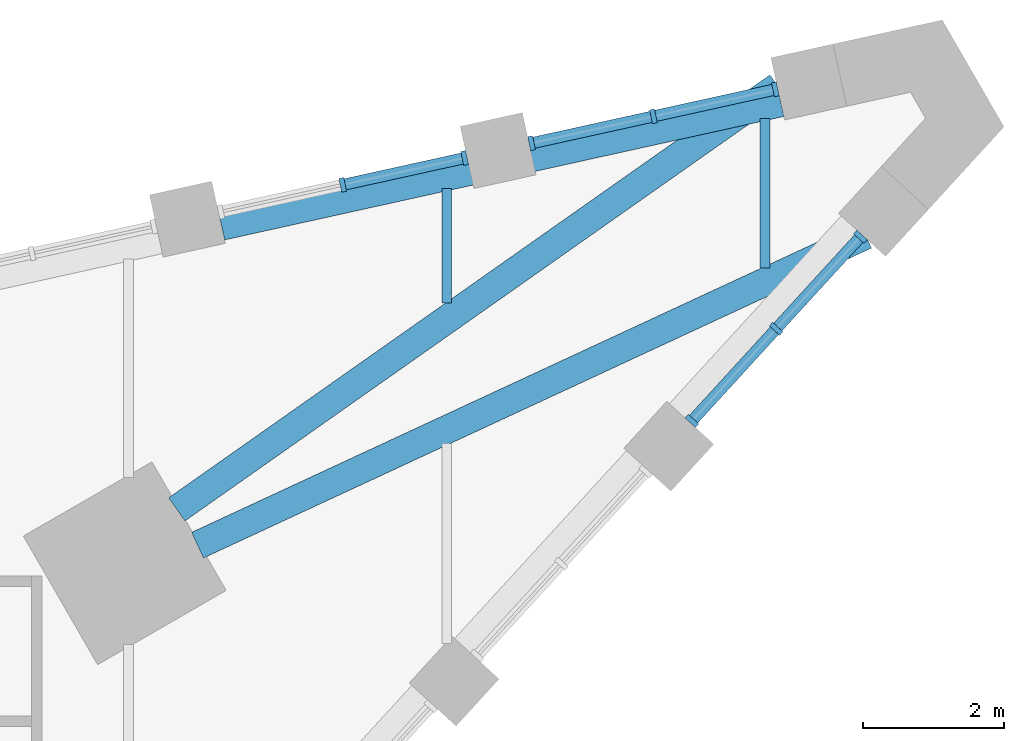
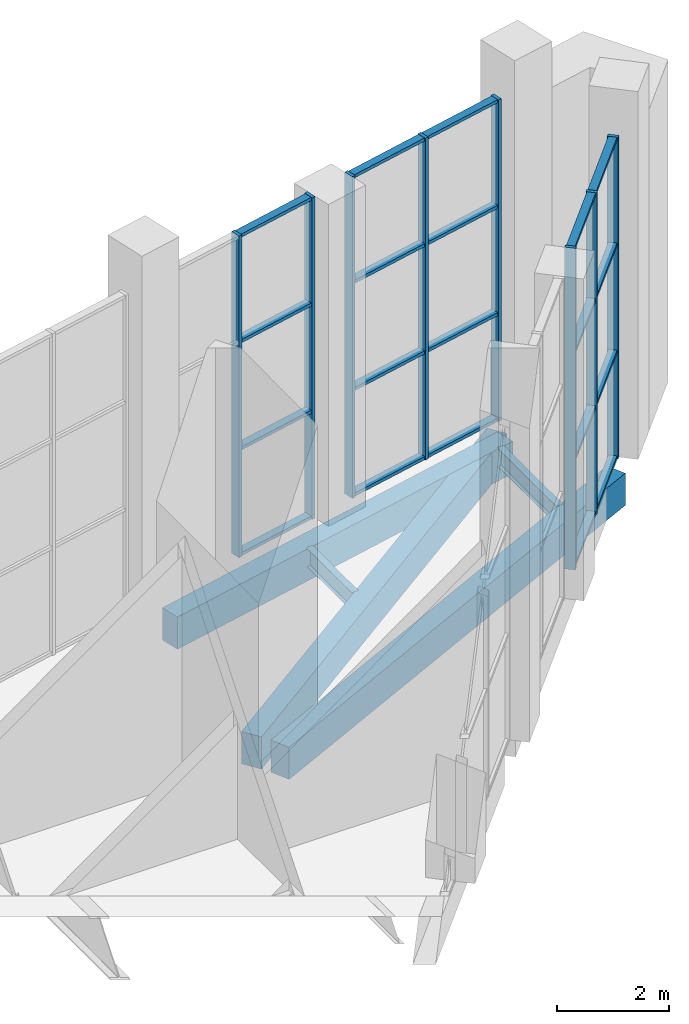
# One storey, part 7 of 16: 28 members, 5 beams, 3 elements without a shape of their own.
"""IFC4 building model written with IfcOpenShell, lengths in metres."""

from ifc_helpers import new_model, si_unit, direction, frame, origin, origin_2d, place, context, subcontext, project, spatial, rectangle, i_section, extrude, material, material_profile, profile_set, type_object, element, aggregate, save


model = new_model("IFC4")

# Units and contexts
model_context = context("Model", 3, precision=1e-05, world=origin(), true_north=direction((0.0, 1.0)))
body_context = subcontext(model_context, "Body", "Model", "MODEL_VIEW")
ifc_project = project(units=[si_unit("LENGTHUNIT", "METRE"), si_unit("AREAUNIT", "SQUARE_METRE"), si_unit("VOLUMEUNIT", "CUBIC_METRE"), si_unit("PLANEANGLEUNIT", "RADIAN"), si_unit("MASSUNIT", "GRAM", prefix="KILO")], contexts=[model_context])

# Site, building, storey
site_placement = place(None, origin())
site = spatial("IfcSite", under=ifc_project, at=site_placement, CompositionType="ELEMENT")
building_placement = place(site_placement, origin())
building = spatial("IfcBuilding", under=site, at=building_placement, Name="Calabash Gate Tower", CompositionType="ELEMENT")
storey_placement = place(building_placement, frame((0.0, 0.0, 302.5)))
storey = spatial("IfcBuildingStorey", under=building, at=storey_placement, Name="L72", CompositionType="ELEMENT", Elevation=302.5)

# Beams
ifc_material_1 = material(Name="Concrete C50/60", Category="concrete")
ifc_material_profile_1 = material_profile(ifc_material_1, rectangle(XDim=0.39990234375, YDim=0.699951171875, at=origin_2d()))
ifc_profile_set_1 = profile_set([ifc_material_profile_1], Name="Concrete C50/60")
beam_type_1 = type_object("IfcBeamType", Name="Edge beam RC 400x700 Concrete C50/60", PredefinedType="BEAM", material=ifc_profile_set_1)
beam_1_placement = place(storey_placement, frame((32.924072265625, 21.1298828125, -0.64990234375), z_axis=(-0.907165927894, -0.420773073364, 0.0), x_axis=(0.420773073364, -0.907165927894, 0.0)))
element("IfcBeam", 1, at=beam_1_placement, inside=storey, type_object=beam_type_1, Name="Edge beam L72 12", PredefinedType="BEAM", context=body_context, shape_type="SweptSolid", body=[
    extrude(rectangle(XDim=0.39990234375, YDim=0.699951171875, at=origin_2d()), origin(), (0.0, 0.0, 1.0), 10.413818359375),
])
beam_2_placement = place(storey_placement, frame((23.18310546875, 17.25390625, -0.64990234375), z_axis=(0.817868224599, 0.575405567571, 0.0), x_axis=(-0.575405567571, 0.817868224599, 0.0)))
element("IfcBeam", 2, at=beam_2_placement, inside=storey, type_object=beam_type_1, Name="Edge beam L72 13", PredefinedType="BEAM", context=body_context, shape_type="SweptSolid", body=[
    extrude(rectangle(XDim=0.39990234375, YDim=0.699951171875, at=origin_2d()), origin(), (0.0, 0.0, 1.0), 10.396484375),
])
beam_3_placement = place(storey_placement, frame((31.72705078125, 23.006103515625, -0.64990234375), z_axis=(-0.976492437334, -0.215551663945, 0.0), x_axis=(0.215551663945, -0.976492437334, 0.0)))
element("IfcBeam", 3, at=beam_3_placement, inside=storey, type_object=beam_type_1, Name="Edge beam L72 14", PredefinedType="BEAM", context=body_context, shape_type="SweptSolid", body=[
    extrude(rectangle(XDim=0.39990234375, YDim=0.699951171875, at=origin_2d()), origin(), (0.0, 0.0, 1.0), 8.1005859375),
])
ifc_material_2 = material(Name="Steel ASTM A992 Gr50", Category="steel")
ifc_material_profile_2 = material_profile(ifc_material_2, i_section(OverallWidth=0.1396484375, OverallDepth=0.398681640625, WebThickness=0.00634765625, FlangeThickness=0.0087890625, FilletRadius=0.01025390625, at=origin_2d()))
ifc_profile_set_2 = profile_set([ifc_material_profile_2], Name="Steel ASTM A992 Gr50")
beam_type_2 = type_object("IfcBeamType", Name="Floor beam W16x26 ASTM A992 Gr50", PredefinedType="BEAM", material=ifc_profile_set_2)
beam_4_placement = place(storey_placement, frame((27.0, 20.172119140625, -0.4990234375), z_axis=(0.0, 1.0, 0.0), x_axis=(-1.0, 0.0, 0.0)))
element("IfcBeam", 4, at=beam_4_placement, inside=storey, type_object=beam_type_2, Name="Floor beam L72 18", PredefinedType="BEAM", context=body_context, shape_type="SweptSolid", body=[
    extrude(i_section(OverallWidth=0.1396484375, OverallDepth=0.398681640625, WebThickness=0.00634765625, FlangeThickness=0.0087890625, FilletRadius=0.01025390625, at=origin_2d()), origin(), (0.0, 0.0, 1.0), 1.617919921875),
])
beam_5_placement = place(storey_placement, frame((31.5, 20.66796875, -0.4990234375), z_axis=(0.0, 1.0, 0.0), x_axis=(-1.0, 0.0, 0.0)))
element("IfcBeam", 5, at=beam_5_placement, inside=storey, type_object=beam_type_2, Name="Floor beam L72 19", PredefinedType="BEAM", context=body_context, shape_type="SweptSolid", body=[
    extrude(i_section(OverallWidth=0.1396484375, OverallDepth=0.398681640625, WebThickness=0.00634765625, FlangeThickness=0.0087890625, FilletRadius=0.01025390625, at=origin_2d()), origin(), (0.0, 0.0, 1.0), 2.114990234375),
])

# Curtain wall, members
ifc_material_3 = material(Name="Anodised aluminium frame, bronze finish, clear laminated impact-rated glazing", Category="aluminium")
curtain_wall_type = type_object("IfcCurtainWallType", Name="Curtain wall CWW wedge prow wall", PredefinedType="NOTDEFINED", material=ifc_material_3)
curtain_wall_1_placement = place(storey_placement, origin())
curtain_wall_1 = element("IfcCurtainWall", 6, at=curtain_wall_1_placement, inside=storey, type_object=curtain_wall_type, Name="Curtain wall CWW L72 wedge3.4", PredefinedType="NOTDEFINED")
ifc_material_4 = material(Name="Anodised aluminium frame, bronze finish", Category="aluminium")
ifc_material_profile_3 = material_profile(ifc_material_4, rectangle(XDim=0.199951171875, YDim=0.070068359375, at=origin_2d()))
ifc_profile_set_3 = profile_set([ifc_material_profile_3], Name="Anodised aluminium frame, bronze finish")
member_type_1 = type_object("IfcMemberType", Name="Mullion CWW 70x200", PredefinedType="MULLION", material=ifc_profile_set_3)
member_1_placement = place(storey_placement, frame((30.46826171875, 18.5048828125, 0.0), z_axis=(0.0, 0.0, 1.0), x_axis=(-0.737949387896, 0.674856059397, 0.0)))
member_1 = element("IfcMember", 7, at=member_1_placement, type_object=member_type_1, Name="CWW mullion 1", PredefinedType="MULLION", context=body_context, shape_type="SweptSolid", body=[
    extrude(rectangle(XDim=0.199951171875, YDim=0.070068359375, at=origin_2d()), origin(), (0.0, 0.0, 1.0), 7.0),
])
member_2_placement = place(storey_placement, frame((31.659423828125, 19.807373046875, 0.0), z_axis=(0.0, 0.0, 1.0), x_axis=(-0.737949387896, 0.674856059397, 0.0)))
member_2 = element("IfcMember", 8, at=member_2_placement, type_object=member_type_1, Name="CWW mullion 2", PredefinedType="MULLION", context=body_context, shape_type="SweptSolid", body=[
    extrude(rectangle(XDim=0.199951171875, YDim=0.070068359375, at=origin_2d()), origin(), (0.0, 0.0, 1.0), 7.0),
])
member_3_placement = place(storey_placement, frame((32.8505859375, 21.10986328125, 0.0), z_axis=(0.0, 0.0, 1.0), x_axis=(-0.737949387896, 0.674856059397, 0.0)))
member_3 = element("IfcMember", 9, at=member_3_placement, type_object=member_type_1, Name="CWW mullion 3", PredefinedType="MULLION", context=body_context, shape_type="SweptSolid", body=[
    extrude(rectangle(XDim=0.199951171875, YDim=0.070068359375, at=origin_2d()), origin(), (0.0, 0.0, 1.0), 7.0),
])

curtain_wall_2_placement = place(storey_placement, origin())
curtain_wall_2 = element("IfcCurtainWall", 10, at=curtain_wall_2_placement, inside=storey, type_object=curtain_wall_type, Name="Curtain wall CWW L72 wedge5.1", PredefinedType="NOTDEFINED")
member_4_placement = place(storey_placement, frame((31.647705078125, 23.193359375, 0.0), z_axis=(0.0, 0.0, 1.0), x_axis=(0.215467802466, -0.976510945203, 0.0)))
member_4 = element("IfcMember", 11, at=member_4_placement, type_object=member_type_1, Name="CWW mullion 1", PredefinedType="MULLION", context=body_context, shape_type="SweptSolid", body=[
    extrude(rectangle(XDim=0.199951171875, YDim=0.070068359375, at=origin_2d()), origin(), (0.0, 0.0, 1.0), 7.0),
])
member_5_placement = place(storey_placement, frame((29.924072265625, 22.81298828125, 0.0), z_axis=(0.0, 0.0, 1.0), x_axis=(0.215467802466, -0.976510945203, 0.0)))
member_5 = element("IfcMember", 12, at=member_5_placement, type_object=member_type_1, Name="CWW mullion 2", PredefinedType="MULLION", context=body_context, shape_type="SweptSolid", body=[
    extrude(rectangle(XDim=0.199951171875, YDim=0.070068359375, at=origin_2d()), origin(), (0.0, 0.0, 1.0), 7.0),
])
member_6_placement = place(storey_placement, frame((28.20068359375, 22.432861328125, 0.0), z_axis=(0.0, 0.0, 1.0), x_axis=(0.215467802466, -0.976510945203, 0.0)))
member_6 = element("IfcMember", 13, at=member_6_placement, type_object=member_type_1, Name="CWW mullion 3", PredefinedType="MULLION", context=body_context, shape_type="SweptSolid", body=[
    extrude(rectangle(XDim=0.199951171875, YDim=0.070068359375, at=origin_2d()), origin(), (0.0, 0.0, 1.0), 7.0),
])

curtain_wall_3_placement = place(storey_placement, origin())
curtain_wall_3 = element("IfcCurtainWall", 14, at=curtain_wall_3_placement, inside=storey, type_object=curtain_wall_type, Name="Curtain wall CWW L72 wedge5.2", PredefinedType="NOTDEFINED")
member_7_placement = place(storey_placement, frame((27.25341796875, 22.2236328125, 0.0), z_axis=(0.0, 0.0, 1.0), x_axis=(0.215467744008, -0.976510958101, 0.0)))
member_7 = element("IfcMember", 15, at=member_7_placement, type_object=member_type_1, Name="CWW mullion 1", PredefinedType="MULLION", context=body_context, shape_type="SweptSolid", body=[
    extrude(rectangle(XDim=0.199951171875, YDim=0.070068359375, at=origin_2d()), origin(), (0.0, 0.0, 1.0), 7.0),
])
member_8_placement = place(storey_placement, frame((25.52978515625, 21.843505859375, 0.0), z_axis=(0.0, 0.0, 1.0), x_axis=(0.215467744008, -0.976510958101, 0.0)))
member_8 = element("IfcMember", 16, at=member_8_placement, type_object=member_type_1, Name="CWW mullion 2", PredefinedType="MULLION", context=body_context, shape_type="SweptSolid", body=[
    extrude(rectangle(XDim=0.199951171875, YDim=0.070068359375, at=origin_2d()), origin(), (0.0, 0.0, 1.0), 7.0),
])

# Member
ifc_material_5 = material(Name="Anodised aluminium frame, bronze finish", Category="aluminium")
ifc_material_profile_4 = material_profile(ifc_material_5, rectangle(XDim=0.159912109375, YDim=0.070068359375, at=origin_2d()))
ifc_profile_set_4 = profile_set([ifc_material_profile_4], Name="Anodised aluminium frame, bronze finish")
member_type_2 = type_object("IfcMemberType", Name="Transom CWW 70x160", PredefinedType="USERDEFINED", material=ifc_profile_set_4)
member_9_placement = place(storey_placement, frame((30.491943359375, 18.53076171875, 0.034912109375), z_axis=(0.674935053329, 0.737877140036, 0.0), x_axis=(-0.737877140036, 0.674935053329, 0.0)))
member_9 = element("IfcMember", 17, at=member_9_placement, type_object=member_type_2, Name="CWW transom 1.1", ObjectType="TRANSOM", PredefinedType="USERDEFINED", context=body_context, shape_type="SweptSolid", body=[
    extrude(rectangle(XDim=0.159912109375, YDim=0.070068359375, at=origin_2d()), origin(), (0.0, 0.0, 1.0), 1.695068359375),
])

member_10_placement = place(storey_placement, frame((30.491943359375, 18.53076171875, 2.333251953125), z_axis=(0.674935053329, 0.737877140036, 0.0), x_axis=(-0.737877140036, 0.674935053329, 0.0)))
member_10 = element("IfcMember", 18, at=member_10_placement, type_object=member_type_2, Name="CWW transom 1.2", ObjectType="TRANSOM", PredefinedType="USERDEFINED", context=body_context, shape_type="SweptSolid", body=[
    extrude(rectangle(XDim=0.159912109375, YDim=0.070068359375, at=origin_2d()), origin(), (0.0, 0.0, 1.0), 1.695068359375),
])

member_11_placement = place(storey_placement, frame((30.491943359375, 18.53076171875, 4.666748046875), z_axis=(0.674935053329, 0.737877140036, 0.0), x_axis=(-0.737877140036, 0.674935053329, 0.0)))
member_11 = element("IfcMember", 19, at=member_11_placement, type_object=member_type_2, Name="CWW transom 1.3", ObjectType="TRANSOM", PredefinedType="USERDEFINED", context=body_context, shape_type="SweptSolid", body=[
    extrude(rectangle(XDim=0.159912109375, YDim=0.070068359375, at=origin_2d()), origin(), (0.0, 0.0, 1.0), 1.695068359375),
])

member_12_placement = place(storey_placement, frame((30.491943359375, 18.53076171875, 6.965087890625), z_axis=(0.674935053329, 0.737877140036, 0.0), x_axis=(-0.737877140036, 0.674935053329, 0.0)))
member_12 = element("IfcMember", 20, at=member_12_placement, type_object=member_type_2, Name="CWW transom 1.4", ObjectType="TRANSOM", PredefinedType="USERDEFINED", context=body_context, shape_type="SweptSolid", body=[
    extrude(rectangle(XDim=0.159912109375, YDim=0.070068359375, at=origin_2d()), origin(), (0.0, 0.0, 1.0), 1.695068359375),
])

member_13_placement = place(storey_placement, frame((31.68310546875, 19.833251953125, 0.034912109375), z_axis=(0.674856621718, 0.737948873652, 0.0), x_axis=(-0.737948873652, 0.674856621718, 0.0)))
member_13 = element("IfcMember", 21, at=member_13_placement, type_object=member_type_2, Name="CWW transom 2.1", ObjectType="TRANSOM", PredefinedType="USERDEFINED", context=body_context, shape_type="SweptSolid", body=[
    extrude(rectangle(XDim=0.159912109375, YDim=0.070068359375, at=origin_2d()), origin(), (0.0, 0.0, 1.0), 1.69482421875),
])

member_14_placement = place(storey_placement, frame((31.68310546875, 19.833251953125, 2.333251953125), z_axis=(0.674856621718, 0.737948873652, 0.0), x_axis=(-0.737948873652, 0.674856621718, 0.0)))
member_14 = element("IfcMember", 22, at=member_14_placement, type_object=member_type_2, Name="CWW transom 2.2", ObjectType="TRANSOM", PredefinedType="USERDEFINED", context=body_context, shape_type="SweptSolid", body=[
    extrude(rectangle(XDim=0.159912109375, YDim=0.070068359375, at=origin_2d()), origin(), (0.0, 0.0, 1.0), 1.69482421875),
])

member_15_placement = place(storey_placement, frame((31.68310546875, 19.833251953125, 4.666748046875), z_axis=(0.674856621718, 0.737948873652, 0.0), x_axis=(-0.737948873652, 0.674856621718, 0.0)))
member_15 = element("IfcMember", 23, at=member_15_placement, type_object=member_type_2, Name="CWW transom 2.3", ObjectType="TRANSOM", PredefinedType="USERDEFINED", context=body_context, shape_type="SweptSolid", body=[
    extrude(rectangle(XDim=0.159912109375, YDim=0.070068359375, at=origin_2d()), origin(), (0.0, 0.0, 1.0), 1.69482421875),
])

member_16_placement = place(storey_placement, frame((31.68310546875, 19.833251953125, 6.965087890625), z_axis=(0.674856621718, 0.737948873652, 0.0), x_axis=(-0.737948873652, 0.674856621718, 0.0)))
member_16 = element("IfcMember", 24, at=member_16_placement, type_object=member_type_2, Name="CWW transom 2.4", ObjectType="TRANSOM", PredefinedType="USERDEFINED", context=body_context, shape_type="SweptSolid", body=[
    extrude(rectangle(XDim=0.159912109375, YDim=0.070068359375, at=origin_2d()), origin(), (0.0, 0.0, 1.0), 1.69482421875),
])

aggregate(curtain_wall_1, [member_1, member_2, member_3, member_9, member_10, member_11, member_12, member_13, member_14, member_15, member_16])

member_17_placement = place(storey_placement, frame((31.613525390625, 23.185791015625, 0.034912109375), z_axis=(-0.976511296708, -0.215466209421, 0.0), x_axis=(0.215466209421, -0.976511296708, 0.0)))
member_17 = element("IfcMember", 25, at=member_17_placement, type_object=member_type_2, Name="CWW transom 1.1", ObjectType="TRANSOM", PredefinedType="USERDEFINED", context=body_context, shape_type="SweptSolid", body=[
    extrude(rectangle(XDim=0.159912109375, YDim=0.070068359375, at=origin_2d()), origin(), (0.0, 0.0, 1.0), 1.695068359375),
])

member_18_placement = place(storey_placement, frame((31.613525390625, 23.185791015625, 2.333251953125), z_axis=(-0.976511296708, -0.215466209421, 0.0), x_axis=(0.215466209421, -0.976511296708, 0.0)))
member_18 = element("IfcMember", 26, at=member_18_placement, type_object=member_type_2, Name="CWW transom 1.2", ObjectType="TRANSOM", PredefinedType="USERDEFINED", context=body_context, shape_type="SweptSolid", body=[
    extrude(rectangle(XDim=0.159912109375, YDim=0.070068359375, at=origin_2d()), origin(), (0.0, 0.0, 1.0), 1.695068359375),
])

member_19_placement = place(storey_placement, frame((31.613525390625, 23.185791015625, 4.666748046875), z_axis=(-0.976511296708, -0.215466209421, 0.0), x_axis=(0.215466209421, -0.976511296708, 0.0)))
member_19 = element("IfcMember", 27, at=member_19_placement, type_object=member_type_2, Name="CWW transom 1.3", ObjectType="TRANSOM", PredefinedType="USERDEFINED", context=body_context, shape_type="SweptSolid", body=[
    extrude(rectangle(XDim=0.159912109375, YDim=0.070068359375, at=origin_2d()), origin(), (0.0, 0.0, 1.0), 1.695068359375),
])

member_20_placement = place(storey_placement, frame((31.613525390625, 23.185791015625, 6.965087890625), z_axis=(-0.976511296708, -0.215466209421, 0.0), x_axis=(0.215466209421, -0.976511296708, 0.0)))
member_20 = element("IfcMember", 28, at=member_20_placement, type_object=member_type_2, Name="CWW transom 1.4", ObjectType="TRANSOM", PredefinedType="USERDEFINED", context=body_context, shape_type="SweptSolid", body=[
    extrude(rectangle(XDim=0.159912109375, YDim=0.070068359375, at=origin_2d()), origin(), (0.0, 0.0, 1.0), 1.695068359375),
])

member_21_placement = place(storey_placement, frame((29.889892578125, 22.805419921875, 0.034912109375), z_axis=(-0.976504608688, -0.215496517864, 0.0), x_axis=(0.215496517864, -0.976504608688, 0.0)))
member_21 = element("IfcMember", 29, at=member_21_placement, type_object=member_type_2, Name="CWW transom 2.1", ObjectType="TRANSOM", PredefinedType="USERDEFINED", context=body_context, shape_type="SweptSolid", body=[
    extrude(rectangle(XDim=0.159912109375, YDim=0.070068359375, at=origin_2d()), origin(), (0.0, 0.0, 1.0), 1.69482421875),
])

member_22_placement = place(storey_placement, frame((29.889892578125, 22.805419921875, 2.333251953125), z_axis=(-0.976504608688, -0.215496517864, 0.0), x_axis=(0.215496517864, -0.976504608688, 0.0)))
member_22 = element("IfcMember", 30, at=member_22_placement, type_object=member_type_2, Name="CWW transom 2.2", ObjectType="TRANSOM", PredefinedType="USERDEFINED", context=body_context, shape_type="SweptSolid", body=[
    extrude(rectangle(XDim=0.159912109375, YDim=0.070068359375, at=origin_2d()), origin(), (0.0, 0.0, 1.0), 1.69482421875),
])

member_23_placement = place(storey_placement, frame((29.889892578125, 22.805419921875, 4.666748046875), z_axis=(-0.976504608688, -0.215496517864, 0.0), x_axis=(0.215496517864, -0.976504608688, 0.0)))
member_23 = element("IfcMember", 31, at=member_23_placement, type_object=member_type_2, Name="CWW transom 2.3", ObjectType="TRANSOM", PredefinedType="USERDEFINED", context=body_context, shape_type="SweptSolid", body=[
    extrude(rectangle(XDim=0.159912109375, YDim=0.070068359375, at=origin_2d()), origin(), (0.0, 0.0, 1.0), 1.69482421875),
])

member_24_placement = place(storey_placement, frame((29.889892578125, 22.805419921875, 6.965087890625), z_axis=(-0.976504608688, -0.215496517864, 0.0), x_axis=(0.215496517864, -0.976504608688, 0.0)))
member_24 = element("IfcMember", 32, at=member_24_placement, type_object=member_type_2, Name="CWW transom 2.4", ObjectType="TRANSOM", PredefinedType="USERDEFINED", context=body_context, shape_type="SweptSolid", body=[
    extrude(rectangle(XDim=0.159912109375, YDim=0.070068359375, at=origin_2d()), origin(), (0.0, 0.0, 1.0), 1.69482421875),
])

aggregate(curtain_wall_2, [member_4, member_5, member_6, member_17, member_18, member_19, member_20, member_21, member_22, member_23, member_24])

member_25_placement = place(storey_placement, frame((27.21923828125, 22.21630859375, 0.034912109375), z_axis=(-0.976511296708, -0.215466209421, 0.0), x_axis=(0.215466209421, -0.976511296708, 0.0)))
member_25 = element("IfcMember", 33, at=member_25_placement, type_object=member_type_2, Name="CWW transom 1.1", ObjectType="TRANSOM", PredefinedType="USERDEFINED", context=body_context, shape_type="SweptSolid", body=[
    extrude(rectangle(XDim=0.159912109375, YDim=0.070068359375, at=origin_2d()), origin(), (0.0, 0.0, 1.0), 1.695068359375),
])

member_26_placement = place(storey_placement, frame((27.21923828125, 22.21630859375, 2.333251953125), z_axis=(-0.976511296708, -0.215466209421, 0.0), x_axis=(0.215466209421, -0.976511296708, 0.0)))
member_26 = element("IfcMember", 34, at=member_26_placement, type_object=member_type_2, Name="CWW transom 1.2", ObjectType="TRANSOM", PredefinedType="USERDEFINED", context=body_context, shape_type="SweptSolid", body=[
    extrude(rectangle(XDim=0.159912109375, YDim=0.070068359375, at=origin_2d()), origin(), (0.0, 0.0, 1.0), 1.695068359375),
])

member_27_placement = place(storey_placement, frame((27.21923828125, 22.21630859375, 4.666748046875), z_axis=(-0.976511296708, -0.215466209421, 0.0), x_axis=(0.215466209421, -0.976511296708, 0.0)))
member_27 = element("IfcMember", 35, at=member_27_placement, type_object=member_type_2, Name="CWW transom 1.3", ObjectType="TRANSOM", PredefinedType="USERDEFINED", context=body_context, shape_type="SweptSolid", body=[
    extrude(rectangle(XDim=0.159912109375, YDim=0.070068359375, at=origin_2d()), origin(), (0.0, 0.0, 1.0), 1.695068359375),
])

member_28_placement = place(storey_placement, frame((27.21923828125, 22.21630859375, 6.965087890625), z_axis=(-0.976511296708, -0.215466209421, 0.0), x_axis=(0.215466209421, -0.976511296708, 0.0)))
member_28 = element("IfcMember", 36, at=member_28_placement, type_object=member_type_2, Name="CWW transom 1.4", ObjectType="TRANSOM", PredefinedType="USERDEFINED", context=body_context, shape_type="SweptSolid", body=[
    extrude(rectangle(XDim=0.159912109375, YDim=0.070068359375, at=origin_2d()), origin(), (0.0, 0.0, 1.0), 1.695068359375),
])

aggregate(curtain_wall_3, [member_7, member_8, member_25, member_26, member_27, member_28])

save(model, "model.ifc")
